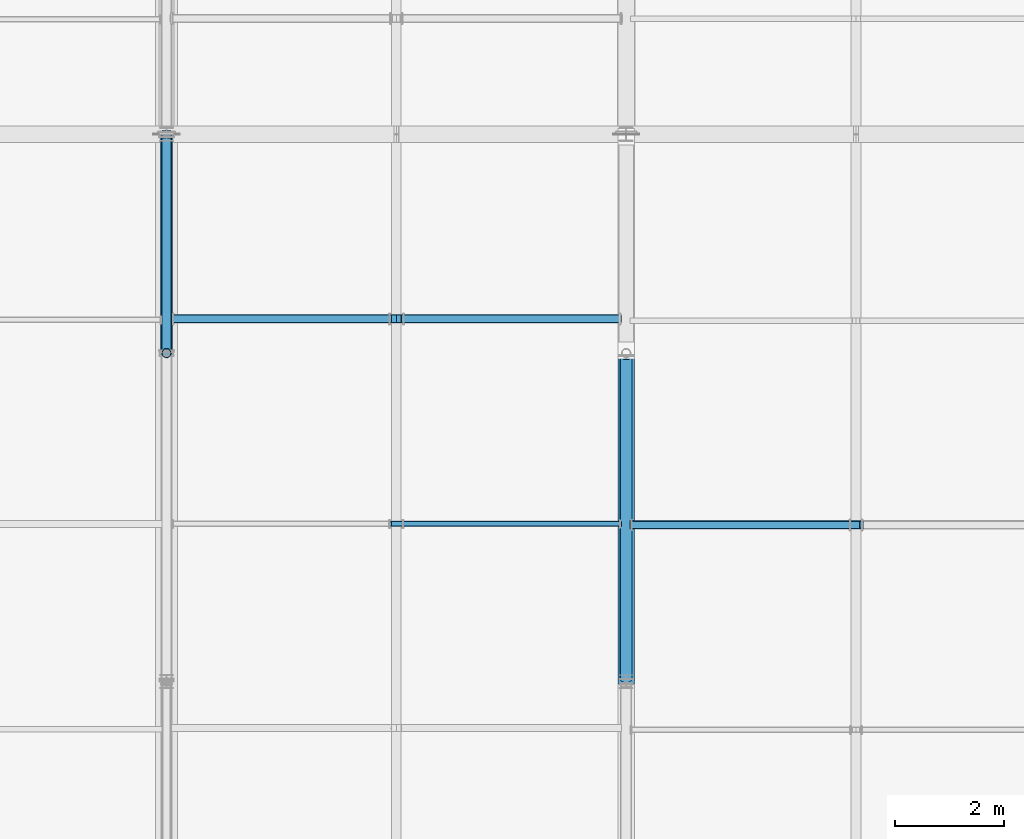
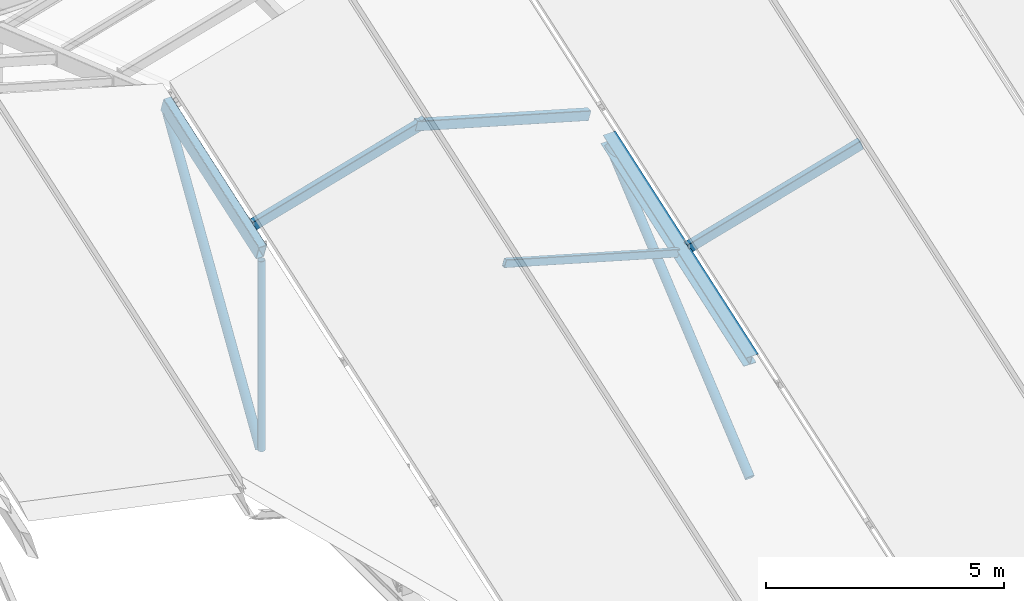
# One storey, part 15 of 77: 9 members.
"""IFC4 building model written with IfcOpenShell, lengths in metres."""

from ifc_helpers import new_model, si_unit, direction, frame, origin, origin_2d, place, context, subcontext, project, spatial, hollow_rectangle, hollow_circle, i_section, extrude, material, material_profile, profile_set, type_object, element, save


model = new_model("IFC4")

# Units and contexts
model_context = context("Model", 3, precision=1e-05, world=origin(), true_north=direction((0.0, 1.0)))
body_context = subcontext(model_context, "Body", "Model", "MODEL_VIEW")
ifc_project = project(units=[si_unit("LENGTHUNIT", "METRE"), si_unit("AREAUNIT", "SQUARE_METRE"), si_unit("VOLUMEUNIT", "CUBIC_METRE"), si_unit("PLANEANGLEUNIT", "RADIAN"), si_unit("MASSUNIT", "GRAM", prefix="KILO")], contexts=[model_context])

# Site, building, storey
site_placement = place(None, origin())
site = spatial("IfcSite", under=ifc_project, at=site_placement, CompositionType="ELEMENT")
building_placement = place(site_placement, origin())
building = spatial("IfcBuilding", under=site, at=building_placement, Name="Larkvane Passage Sports Hall", CompositionType="ELEMENT")
storey_placement = place(building_placement, frame((0.0, 0.0, 22.199951171875)))
storey = spatial("IfcBuildingStorey", under=building, at=storey_placement, Name="RF", CompositionType="ELEMENT", Elevation=22.199951171875)

# Members
ifc_material_1 = material(Name="Steel S355JR", Category="steel")
ifc_material_profile_1 = material_profile(ifc_material_1, hollow_circle(Radius=0.108154296875, WallThickness=0.00830078125, at=origin_2d()), Name="CHS-216.3x8.2")
ifc_profile_set_1 = profile_set([ifc_material_profile_1], Name="Steel S355JR")
member_type_1 = type_object("IfcMemberType", Name="MBR-BR-CHS216", PredefinedType="BRACE", material=ifc_profile_set_1)
member_1_placement = place(storey_placement, frame((51.60009765625, 57.64990234375, 0.239990234375), z_axis=(0.0, 0.529403043439, 0.848370448329), x_axis=(-1.0, 0.0, 0.0)))
element("IfcMember", 1, at=member_1_placement, inside=storey, type_object=member_type_1, Name="Arena roof truss 3 web brace 4", PredefinedType="BRACE", context=body_context, shape_type="SweptSolid", body=[
    extrude(hollow_circle(Radius=0.108154296875, WallThickness=0.00830078125, at=origin_2d()), origin(), (0.0, 0.0, 1.0), 7.366943359375),
])
member_2_placement = place(storey_placement, frame((60.0, 51.64990234375, 0.18994140625), z_axis=(0.0, 0.76492925525, 0.644114302327), x_axis=(-1.0, 0.0, 0.0)))
element("IfcMember", 2, at=member_2_placement, inside=storey, type_object=member_type_1, Name="Arena roof truss 4 web brace 3", PredefinedType="BRACE", context=body_context, shape_type="SweptSolid", body=[
    extrude(hollow_circle(Radius=0.108154296875, WallThickness=0.00830078125, at=origin_2d()), origin(), (0.0, 0.0, 1.0), 7.71337890625),
])
ifc_material_2 = material(Name="Steel S460N", Category="steel")
ifc_material_profile_2 = material_profile(ifc_material_2, i_section(OverallWidth=0.300048828125, OverallDepth=0.300048828125, WebThickness=0.010009765625, FlangeThickness=0.014892578125, FilletRadius=0.012939453125, at=origin_2d()), Name="H-300x300x10x15")
ifc_profile_set_2 = profile_set([ifc_material_profile_2], Name="Steel S460N")
member_type_2 = type_object("IfcMemberType", Name="MBR-CH-H300", PredefinedType="CHORD", material=ifc_profile_set_2)
member_3_placement = place(storey_placement, frame((60.0, 51.60009765625, 3.2255859375), z_axis=(0.0, 0.945188910593, 0.326524001096), x_axis=(-1.0, 0.0, 0.0)))
element("IfcMember", 3, at=member_3_placement, inside=storey, type_object=member_type_2, Name="Arena roof truss 4 top chord 3", PredefinedType="CHORD", context=body_context, shape_type="SweptSolid", body=[
    extrude(i_section(OverallWidth=0.300048828125, OverallDepth=0.300048828125, WebThickness=0.010009765625, FlangeThickness=0.014892578125, FilletRadius=0.012939453125, at=origin_2d()), origin(), (0.0, 0.0, 1.0), 6.347900390625),
])
ifc_material_profile_3 = material_profile(ifc_material_2, hollow_rectangle(XDim=0.199951171875, YDim=0.39990234375, WallThickness=0.013916015625, InnerFilletRadius=0.013916015625, OuterFilletRadius=0.028076171875, at=origin_2d()), Name="RHS-400x200x14")
ifc_profile_set_3 = profile_set([ifc_material_profile_3], Name="Steel S460N")
member_type_3 = type_object("IfcMemberType", Name="MBR-CH-RHS400", PredefinedType="CHORD", material=ifc_profile_set_3)
member_4_placement = place(storey_placement, frame((51.60009765625, 57.60009765625, 5.29833984375), z_axis=(0.0, 0.945206714131, 0.326472460649), x_axis=(-1.0, 0.0, 0.0)))
element("IfcMember", 4, at=member_4_placement, inside=storey, type_object=member_type_3, Name="Arena roof truss 3 top chord 4", PredefinedType="CHORD", context=body_context, shape_type="SweptSolid", body=[
    extrude(hollow_rectangle(XDim=0.199951171875, YDim=0.39990234375, WallThickness=0.013916015625, InnerFilletRadius=0.013916015625, OuterFilletRadius=0.028076171875, at=origin_2d()), origin(), (0.0, 0.0, 1.0), 4.23193359375),
])
ifc_material_profile_4 = material_profile(ifc_material_1, hollow_rectangle(XDim=0.10009765625, YDim=0.199951171875, WallThickness=0.008056640625, InnerFilletRadius=0.008056640625, OuterFilletRadius=0.01611328125, at=origin_2d()), Name="RHS-200x100x8")
ifc_profile_set_4 = profile_set([ifc_material_profile_4], Name="Steel S355JR")
member_type_4 = type_object("IfcMemberType", Name="MBR-PR-RHS200", PredefinedType="PURLIN", material=ifc_profile_set_4)
member_5_placement = place(storey_placement, frame((55.68408203125, 54.480224609375, 5.486083984375), z_axis=(0.961511291812, 0.0, -0.274765419436), x_axis=(0.0, 1.0, 0.0)))
element("IfcMember", 5, at=member_5_placement, inside=storey, type_object=member_type_4, Name="Folded roof purlin FRP-B3-SE-4", PredefinedType="PURLIN", context=body_context, shape_type="SweptSolid", body=[
    extrude(hollow_rectangle(XDim=0.10009765625, YDim=0.199951171875, WallThickness=0.008056640625, InnerFilletRadius=0.008056640625, OuterFilletRadius=0.01611328125, at=origin_2d()), origin(), (0.0, 0.0, 1.0), 4.3681640625),
])
ifc_material_profile_5 = material_profile(ifc_material_1, hollow_rectangle(XDim=0.14990234375, YDim=0.25, WallThickness=0.009033203125, InnerFilletRadius=0.009033203125, OuterFilletRadius=0.01806640625, at=origin_2d()), Name="RHS-250x150x9")
ifc_profile_set_5 = profile_set([ifc_material_profile_5], Name="Steel S355JR")
member_type_5 = type_object("IfcMemberType", Name="MBR-PR-RHS250", PredefinedType="PURLIN", material=ifc_profile_set_5)
for number, where, z_axis, x_axis, name in (
    (6, (51.72265625, 58.228271484375, 5.55517578125), (0.96152605678, 0.0, 0.274713745804), (0.0, 1.0, 0.0), "Folded roof purlin FRP-B3-SW-5"),
    (7, (55.677490234375, 58.228271484375, 6.755126953125), (0.96152605678, 0.0, -0.274713745804), (0.0, 1.0, 0.0), "Folded roof purlin FRP-B3-SE-5"),
):
    element("IfcMember", number, at=place(storey_placement, frame(where, z_axis=z_axis, x_axis=x_axis)), inside=storey, type_object=member_type_5, Name=name, PredefinedType="PURLIN", context=body_context, shape_type="SweptSolid", body=[
        extrude(hollow_rectangle(XDim=0.14990234375, YDim=0.25, WallThickness=0.009033203125, InnerFilletRadius=0.009033203125, OuterFilletRadius=0.01806640625, at=origin_2d()), origin(), (0.0, 0.0, 1.0), 4.367919921875),
    ])
member_6_placement = place(storey_placement, frame((60.1015625, 54.462890625, 4.336181640625), z_axis=(0.961530274547, 0.0, 0.27469898276), x_axis=(0.0, 1.0, 0.0)))
element("IfcMember", 8, at=member_6_placement, inside=storey, type_object=member_type_5, Name="Folded roof purlin FRP-B4-SW-4", PredefinedType="PURLIN", context=body_context, shape_type="SweptSolid", body=[
    extrude(hollow_rectangle(XDim=0.14990234375, YDim=0.25, WallThickness=0.009033203125, InnerFilletRadius=0.009033203125, OuterFilletRadius=0.01806640625, at=origin_2d()), origin(), (0.0, 0.0, 1.0), 4.3681640625),
])
ifc_material_profile_6 = material_profile(ifc_material_1, hollow_circle(Radius=0.08251953125, WallThickness=0.006103515625, at=origin_2d()), Name="CHS-165.2x6.0")
ifc_profile_set_6 = profile_set([ifc_material_profile_6], Name="Steel S355JR")
member_type_6 = type_object("IfcMemberType", Name="MBR-ST-CHS165", PredefinedType="STRUT", material=ifc_profile_set_6)
member_7_placement = place(storey_placement, frame((51.60009765625, 57.60009765625, 0.239990234375), z_axis=(0.0, 0.0, 1.0), x_axis=(1.0, 0.0, 0.0)))
element("IfcMember", 9, at=member_7_placement, inside=storey, type_object=member_type_6, Name="Arena roof truss 3 vertical strut 3", PredefinedType="STRUT", context=body_context, shape_type="SweptSolid", body=[
    extrude(hollow_circle(Radius=0.08251953125, WallThickness=0.006103515625, at=origin_2d()), origin(), (0.0, 0.0, 1.0), 4.8681640625),
])

save(model, "model.ifc")
